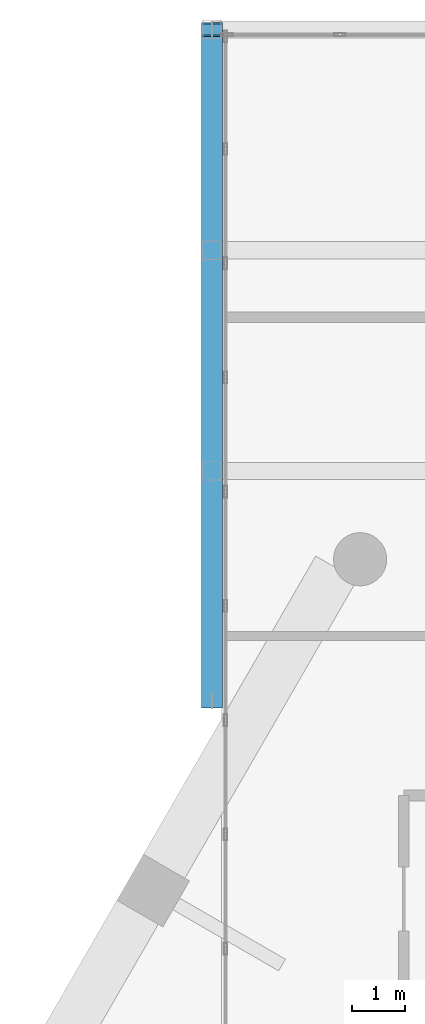
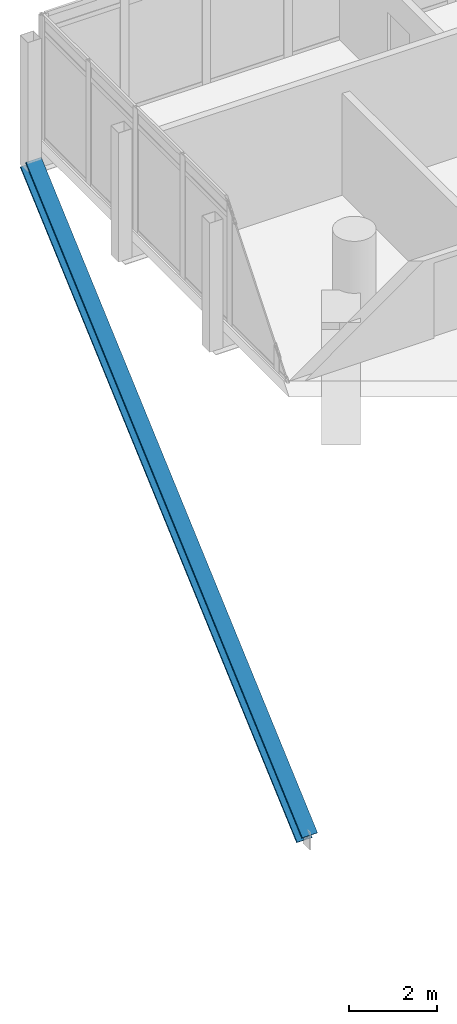
# One storey, part 19 of 38: 1 member.
"""IFC4 building model written with IfcOpenShell, lengths in metres."""

from ifc_helpers import new_model, si_unit, direction, frame, origin, origin_2d, place, context, subcontext, project, spatial, i_section, extrude, material, material_profile, profile_set, type_object, element, save


model = new_model("IFC4")

# Units and contexts
model_context = context("Model", 3, precision=1e-05, world=origin(), true_north=direction((0.0, 1.0)))
body_context = subcontext(model_context, "Body", "Model", "MODEL_VIEW")
ifc_project = project(units=[si_unit("LENGTHUNIT", "METRE"), si_unit("AREAUNIT", "SQUARE_METRE"), si_unit("VOLUMEUNIT", "CUBIC_METRE"), si_unit("PLANEANGLEUNIT", "RADIAN"), si_unit("MASSUNIT", "GRAM", prefix="KILO")], contexts=[model_context])

# Site, building, storey
site_placement = place(None, origin())
site = spatial("IfcSite", under=ifc_project, at=site_placement, CompositionType="ELEMENT")
building_placement = place(site_placement, origin())
building = spatial("IfcBuilding", under=site, at=building_placement, Name="Ostrander Bayou Hotel Tower", CompositionType="ELEMENT")
storey_placement = place(building_placement, frame((0.0, 0.0, 194.5)))
storey = spatial("IfcBuildingStorey", under=building, at=storey_placement, Name="L48", CompositionType="ELEMENT", Elevation=194.5)

# Member
ifc_material = material(Name="Steel ASTM A992", Category="steel")
ifc_material_profile = material_profile(ifc_material, i_section(OverallWidth=0.403564453125, OverallDepth=0.407470703125, WebThickness=0.027099609375, FlangeThickness=0.043701171875, at=origin_2d()))
ifc_profile_set = profile_set([ifc_material_profile], Name="Steel ASTM A992")
member_type = type_object("IfcMemberType", Name="TK2 bar kicker strut W14x233", PredefinedType="BRACE", material=ifc_profile_set)
member_placement = place(storey_placement, frame((-12.110107421875, 28.01611328125, -0.6611328125), z_axis=(0.0, -0.7486482836, -0.662967380391), x_axis=(1.0, 0.0, 0.0)))
element("IfcMember", 1, at=member_placement, inside=storey, type_object=member_type, Name="TK2 SB4WA kicker", PredefinedType="BRACE", context=body_context, shape_type="SweptSolid", body=[
    extrude(i_section(OverallWidth=0.403564453125, OverallDepth=0.407470703125, WebThickness=0.027099609375, FlangeThickness=0.043701171875, at=origin_2d()), origin(), (0.0, 0.0, 1.0), 16.877197265625),
])

save(model, "model.ifc")
